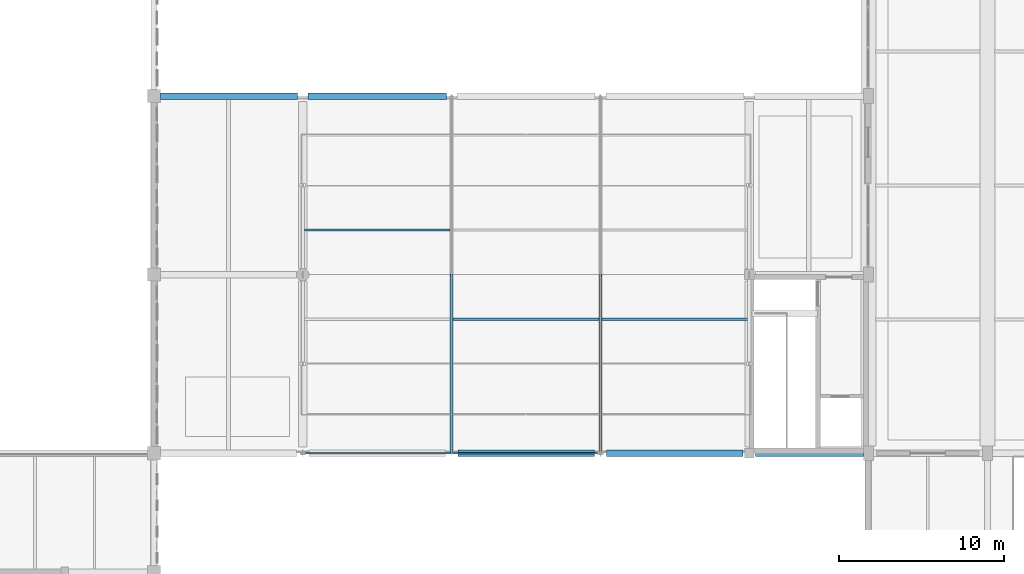
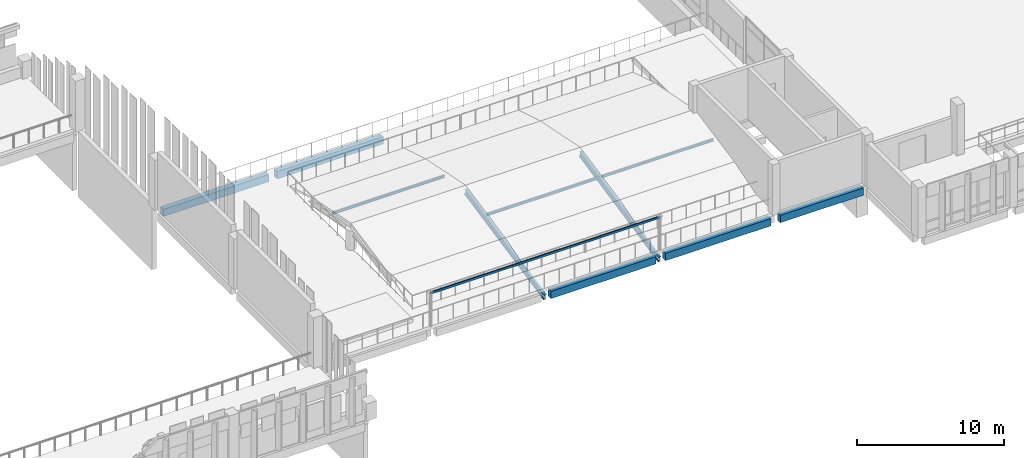
# One storey, part 18 of 158: 7 beams, 4 members.
"""IFC4 building model written with IfcOpenShell, lengths in metres."""

from ifc_helpers import new_model, si_unit, direction, frame, origin, origin_2d, place, context, subcontext, project, spatial, rectangle, hollow_rectangle, i_section, extrude, material, material_profile, profile_set, type_object, element, save


model = new_model("IFC4")

# Units and contexts
model_context = context("Model", 3, precision=1e-05, world=origin(), true_north=direction((0.0, 1.0)))
body_context = subcontext(model_context, "Body", "Model", "MODEL_VIEW")
ifc_project = project(units=[si_unit("LENGTHUNIT", "METRE"), si_unit("AREAUNIT", "SQUARE_METRE"), si_unit("VOLUMEUNIT", "CUBIC_METRE"), si_unit("PLANEANGLEUNIT", "RADIAN"), si_unit("MASSUNIT", "GRAM", prefix="KILO")], contexts=[model_context])

# Site, building, storey
site_placement = place(None, origin())
site = spatial("IfcSite", under=ifc_project, at=site_placement, CompositionType="ELEMENT")
building_placement = place(site_placement, origin())
building = spatial("IfcBuilding", under=site, at=building_placement, Name="Lusvemor Sports Hall", CompositionType="ELEMENT")
storey_placement = place(building_placement, frame((0.0, 0.0, 10.800048828125)))
storey = spatial("IfcBuildingStorey", under=building, at=storey_placement, Name="L02", CompositionType="ELEMENT", Elevation=10.800048828125)

# Beams
ifc_material_1 = material(Name="Steel S355", Category="steel")
ifc_material_profile_1 = material_profile(ifc_material_1, i_section(OverallWidth=0.18994140625, OverallDepth=0.45703125, WebThickness=0.009033203125, FlangeThickness=0.014404296875, FilletRadius=0.01806640625, at=origin_2d()), Name="W460x74.0")
ifc_profile_set_1 = profile_set([ifc_material_profile_1], Name="Steel S355")
beam_type_1 = type_object("IfcBeamType", Name="GIRD_ST_460", PredefinedType="T_BEAM", material=ifc_profile_set_1)
for number, where, z_axis, x_axis, name in (
    (1, (93.60009765625, 7.199951171875, -0.75), (0.0, 0.978799085131, 0.204822730544), (-1.0, 0.0, 0.0), "Foyer Lantern Portal Rafter 10-1"),
    (2, (102.60009765625, 7.199951171875, -0.75), (0.0, 0.978799085131, 0.204822730544), (-1.0, 0.0, 0.0), "Foyer Lantern Portal Rafter 11-1"),
):
    element("IfcBeam", number, at=place(storey_placement, frame(where, z_axis=z_axis, x_axis=x_axis)), inside=storey, type_object=beam_type_1, Name=name, PredefinedType="T_BEAM", context=body_context, shape_type="SweptSolid", body=[
        extrude(i_section(OverallWidth=0.18994140625, OverallDepth=0.45703125, WebThickness=0.009033203125, FlangeThickness=0.014404296875, FilletRadius=0.01806640625, at=origin_2d()), origin(), (0.0, 0.0, 1.0), 11.033935546875),
    ])

# Members
ifc_material_2 = material(Name="Steel S355", Category="steel")
ifc_material_profile_2 = material_profile(ifc_material_2, i_section(OverallWidth=0.133056640625, OverallDepth=0.20703125, WebThickness=0.005859375, FlangeThickness=0.00830078125, FilletRadius=0.010009765625, at=origin_2d()), Name="W200x26.6")
ifc_profile_set_2 = profile_set([ifc_material_profile_2], Name="Steel S355")
member_type_1 = type_object("IfcMemberType", Name="PURL_FOYER_200", PredefinedType="PURLIN", material=ifc_profile_set_2)
for number, where, z_axis, x_axis, name in (
    (3, (84.68994140625, 20.699951171875, 1.163818359375), (1.0, 0.0, 0.0), (0.0, 1.0, 0.0), "Lantern Purlin 9-2"),
    (4, (93.68994140625, 15.300048828125, 1.163818359375), (1.0, 0.0, 0.0), (0.0, 1.0, 0.0), "Lantern Purlin 10-1"),
    (5, (102.68994140625, 15.300048828125, 1.163818359375), (1.0, 0.0, 0.0), (0.0, 1.0, 0.0), "Lantern Purlin 11-1"),
):
    element("IfcMember", number, at=place(storey_placement, frame(where, z_axis=z_axis, x_axis=x_axis)), inside=storey, type_object=member_type_1, Name=name, PredefinedType="PURLIN", context=body_context, shape_type="SweptSolid", body=[
        extrude(i_section(OverallWidth=0.133056640625, OverallDepth=0.20703125, WebThickness=0.005859375, FlangeThickness=0.00830078125, FilletRadius=0.010009765625, at=origin_2d()), origin(), (0.0, 0.0, 1.0), 8.820068359375),
    ])

# Beams
ifc_material_3 = material(Name="Concrete C40/50", Category="concrete")
ifc_material_profile_3 = material_profile(ifc_material_3, rectangle(XDim=0.39990234375, YDim=0.610107421875, at=origin_2d()), Name="RC400x610")
ifc_profile_set_3 = profile_set([ifc_material_profile_3], Name="Concrete C40/50")
beam_type_2 = type_object("IfcBeamType", Name="SPAND_EXT_650", PredefinedType="SPANDREL", material=ifc_profile_set_3)
for number, where, z_axis, x_axis, name in (
    (6, (93.970947265625, 7.199951171875, -0.574951171875), (1.0, 0.0, 0.0), (0.0, 1.0, 0.0), "Beam L02 B:10-11"),
    (7, (102.970947265625, 7.199951171875, -0.574951171875), (1.0, 0.0, 0.0), (0.0, 1.0, 0.0), "Beam L02 B:11-12"),
):
    element("IfcBeam", number, at=place(storey_placement, frame(where, z_axis=z_axis, x_axis=x_axis)), inside=storey, type_object=beam_type_2, Name=name, PredefinedType="SPANDREL", context=body_context, shape_type="SweptSolid", body=[
        extrude(rectangle(XDim=0.39990234375, YDim=0.610107421875, at=origin_2d()), origin(), (0.0, 0.0, 1.0), 8.258056640625),
    ])
beam_1_placement = place(storey_placement, frame((111.970947265625, 7.199951171875, -0.574951171875), z_axis=(1.0, 0.0, 0.0), x_axis=(0.0, 1.0, 0.0)))
element("IfcBeam", 8, at=beam_1_placement, inside=storey, type_object=beam_type_2, Name="Beam L02 B:12-13", PredefinedType="SPANDREL", context=body_context, shape_type="SweptSolid", body=[
    extrude(rectangle(XDim=0.39990234375, YDim=0.610107421875, at=origin_2d()), origin(), (0.0, 0.0, 1.0), 6.532958984375),
])
beam_2_placement = place(storey_placement, frame((75.99609375, 28.800048828125, -0.574951171875), z_axis=(1.0, 0.0, 0.0), x_axis=(0.0, 1.0, 0.0)))
element("IfcBeam", 9, at=beam_2_placement, inside=storey, type_object=beam_type_2, Name="Beam L02 D:8-9", PredefinedType="SPANDREL", context=body_context, shape_type="SweptSolid", body=[
    extrude(rectangle(XDim=0.39990234375, YDim=0.610107421875, at=origin_2d()), origin(), (0.0, 0.0, 1.0), 8.282958984375),
])
beam_3_placement = place(storey_placement, frame((84.9208984375, 28.800048828125, -0.574951171875), z_axis=(1.0, 0.0, 0.0), x_axis=(0.0, 1.0, 0.0)))
element("IfcBeam", 10, at=beam_3_placement, inside=storey, type_object=beam_type_2, Name="Beam L02 D:9-10", PredefinedType="SPANDREL", context=body_context, shape_type="SweptSolid", body=[
    extrude(rectangle(XDim=0.39990234375, YDim=0.610107421875, at=origin_2d()), origin(), (0.0, 0.0, 1.0), 8.358154296875),
])

# Member
ifc_material_4 = material(Name="Steel S355", Category="steel")
ifc_material_profile_4 = material_profile(ifc_material_4, hollow_rectangle(XDim=0.10009765625, YDim=0.179931640625, WallThickness=0.008056640625, InnerFilletRadius=0.008056640625, OuterFilletRadius=0.01611328125, at=origin_2d()), Name="RHS180x100x8")
ifc_profile_set_4 = profile_set([ifc_material_profile_4], Name="Steel S355")
member_type_2 = type_object("IfcMemberType", Name="STRUT_CANOPY_180", PredefinedType="STRUT", material=ifc_profile_set_4)
member_placement = place(storey_placement, frame((84.60009765625, 7.199951171875, 2.760009765625), z_axis=(1.0, 0.0, 0.0), x_axis=(0.0, 1.0, 0.0)))
element("IfcMember", 11, at=member_placement, inside=storey, type_object=member_type_2, Name="Art Nouveau Pergola Trellis Beam PERG-L02-E-1", PredefinedType="STRUT", context=body_context, shape_type="SweptSolid", body=[
    extrude(hollow_rectangle(XDim=0.10009765625, YDim=0.179931640625, WallThickness=0.008056640625, InnerFilletRadius=0.008056640625, OuterFilletRadius=0.01611328125, at=origin_2d()), origin(), (0.0, 0.0, 1.0), 18.0),
])

save(model, "model.ifc")
